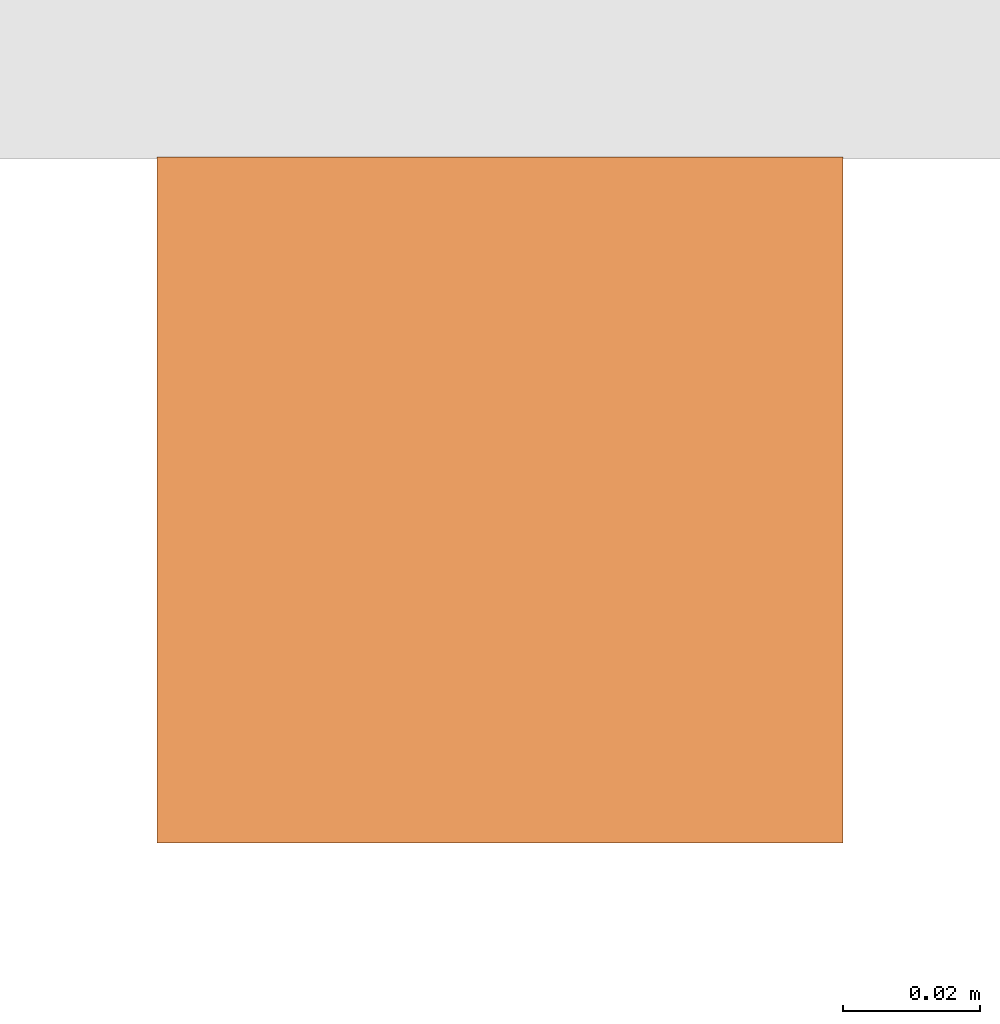
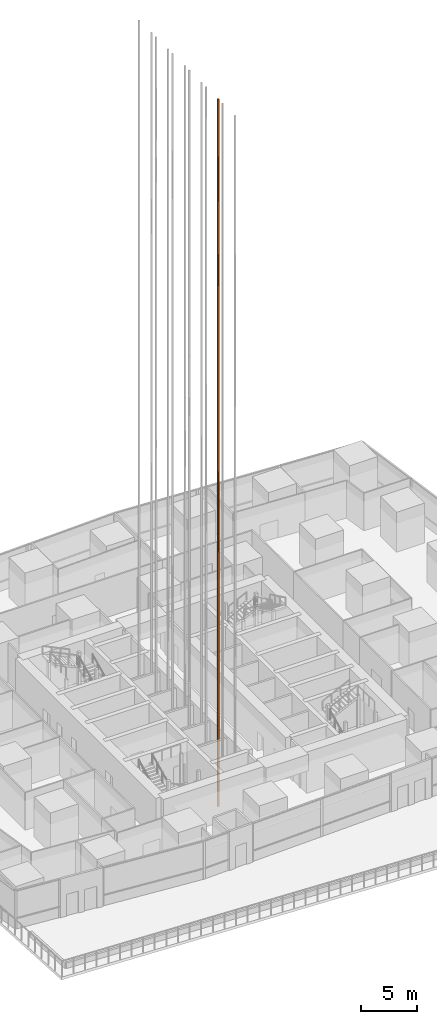
# One storey, part 35 of 44: 1 proxy.
"""IFC4 building model written with IfcOpenShell, lengths in metres."""

from ifc_helpers import new_model, si_unit, direction, frame, origin, origin_2d, place, context, subcontext, project, spatial, rectangle, extrude, material, type_object, element, save


model = new_model("IFC4")

# Units and contexts
model_context = context("Model", 3, precision=1e-05, world=origin(), true_north=direction((0.0, 1.0)))
body_context = subcontext(model_context, "Body", "Model", "MODEL_VIEW")
ifc_project = project(units=[si_unit("LENGTHUNIT", "METRE"), si_unit("AREAUNIT", "SQUARE_METRE"), si_unit("VOLUMEUNIT", "CUBIC_METRE"), si_unit("PLANEANGLEUNIT", "RADIAN"), si_unit("MASSUNIT", "GRAM", prefix="KILO")], contexts=[model_context])

# Site, building, storey
site_placement = place(None, origin())
site = spatial("IfcSite", under=ifc_project, at=site_placement, CompositionType="ELEMENT")
building_placement = place(site_placement, origin())
building = spatial("IfcBuilding", under=site, at=building_placement, Name="Rekha Terrace Tower", CompositionType="ELEMENT")
storey_placement = place(building_placement, frame((0.0, 0.0, 90.800048828125)))
storey = spatial("IfcBuildingStorey", under=building, at=storey_placement, Name="L22", CompositionType="ELEMENT", Elevation=90.800048828125)

# Proxy
ifc_material = material(Name="Steel guide rail", Category="steel")
building_element_proxy_type = type_object("IfcBuildingElementProxyType", Name="LR1 100 lift guide rail", PredefinedType="ELEMENT", material=ifc_material)
proxy_placement = place(storey_placement, frame((34.5, 26.800048828125, -3.300048828125), z_axis=(0.0, 0.0, 1.0), x_axis=(1.0, 0.0, 0.0)))
element("IfcBuildingElementProxy", 1, at=proxy_placement, inside=storey, type_object=building_element_proxy_type, Name="Lift B2 guide rail 1", PredefinedType="ELEMENT", context=body_context, shape_type="SweptSolid", body=[
    extrude(rectangle(XDim=0.10009765625, YDim=0.10009765625, at=origin_2d()), origin(), (0.0, 0.0, 1.0), 77.39990234375),
])

save(model, "model.ifc")
